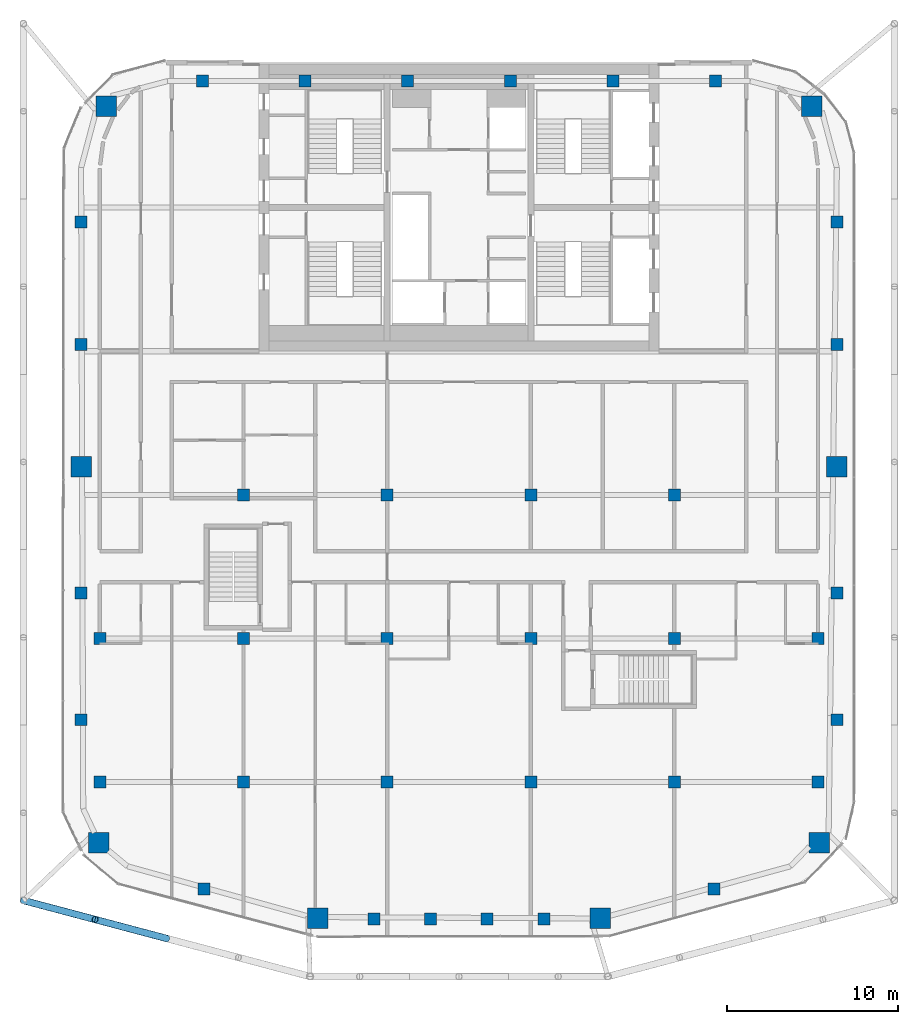
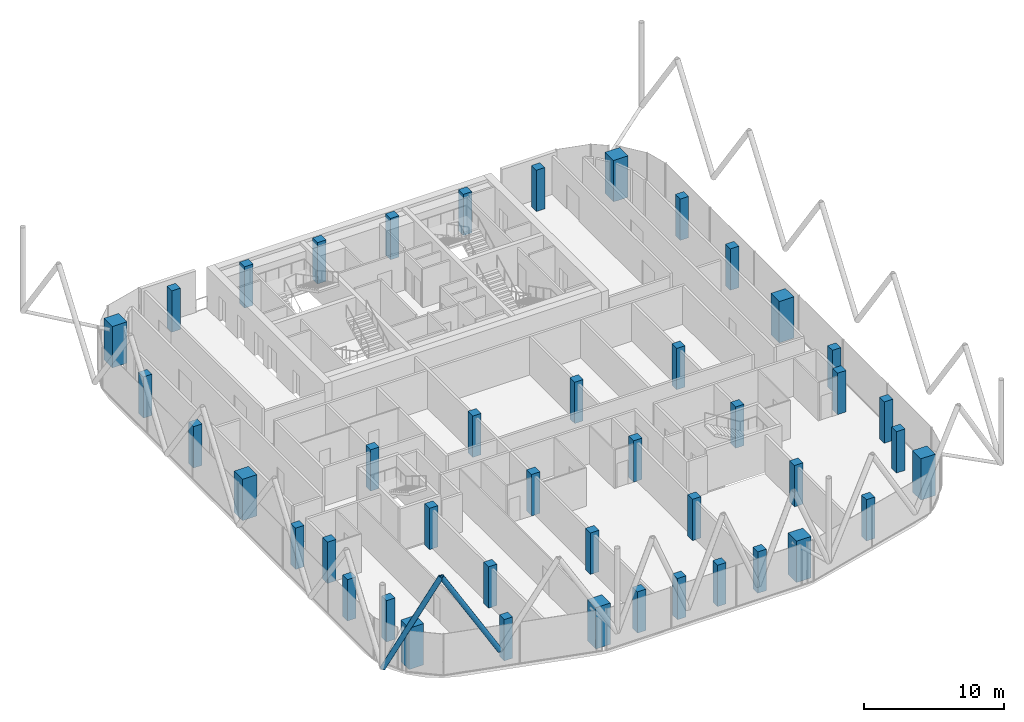
# One storey, part 1 of 27: 44 columns, 2 members.
"""IFC4 building model written with IfcOpenShell, lengths in metres."""

from ifc_helpers import new_model, si_unit, direction, frame, origin, origin_2d, place, context, subcontext, project, spatial, rectangle, hollow_circle, extrude, material, material_profile, profile_set, type_object, element, save


model = new_model("IFC4")

# Units and contexts
model_context = context("Model", 3, precision=1e-05, world=origin(), true_north=direction((0.0, 1.0)))
body_context = subcontext(model_context, "Body", "Model", "MODEL_VIEW")
ifc_project = project(units=[si_unit("LENGTHUNIT", "METRE"), si_unit("AREAUNIT", "SQUARE_METRE"), si_unit("VOLUMEUNIT", "CUBIC_METRE"), si_unit("PLANEANGLEUNIT", "RADIAN"), si_unit("MASSUNIT", "GRAM", prefix="KILO")], contexts=[model_context])

# Site, building, storey
site_placement = place(None, origin())
site = spatial("IfcSite", under=ifc_project, at=site_placement, CompositionType="ELEMENT")
building_placement = place(site_placement, origin())
building = spatial("IfcBuilding", under=site, at=building_placement, Name="Marenta Gate Hotel Tower", CompositionType="ELEMENT")
storey_placement = place(building_placement, frame((0.0, 0.0, 270.5)))
storey = spatial("IfcBuildingStorey", under=building, at=storey_placement, Name="L62", CompositionType="ELEMENT", Elevation=270.5)

# Columns
ifc_material_1 = material(Name="Concrete C50", Category="concrete")
ifc_material_profile_1 = material_profile(ifc_material_1, rectangle(XDim=0.699951171875, YDim=0.699951171875, at=origin_2d()), Name="700 x 700")
ifc_profile_set_1 = profile_set([ifc_material_profile_1], Name="Concrete C50")
column_type_1 = type_object("IfcColumnType", Name="Edge column 700 x 700 C50", PredefinedType="COLUMN", material=ifc_profile_set_1)
for number, where, z_axis, x_axis, name in (
    (1, (-22.10009765625, -21.552001953125, 0.0), (0.0, 0.0, 1.0), (1.0, 0.0, 0.0), "L62-EC-SW-W-1"),
    (2, (-22.10009765625, -14.15087890625, 0.0), (0.0, 0.0, 1.0), (1.0, 0.0, 0.0), "L62-EC-SW-W-2"),
    (3, (-22.10009765625, 0.4033203125, 0.0), (0.0, 0.0, 1.0), (1.0, 0.0, 0.0), "L62-EC-W-NW-1"),
    (4, (-22.10009765625, 7.556396484375, 0.0), (0.0, 0.0, 1.0), (1.0, 0.0, 0.0), "L62-EC-W-NW-2"),
    (5, (-15.0068359375, 15.800048828125, 0.0), (0.0, 0.0, 1.0), (1.0, 0.0, 0.0), "L62-EC-NW-NE-1"),
    (6, (-9.004150390625, 15.800048828125, 0.0), (0.0, 0.0, 1.0), (1.0, 0.0, 0.0), "L62-EC-NW-NE-2"),
    (7, (-3.00146484375, 15.800048828125, 0.0), (0.0, 0.0, 1.0), (1.0, 0.0, 0.0), "L62-EC-NW-NE-3"),
    (8, (3.00146484375, 15.800048828125, 0.0), (0.0, 0.0, 1.0), (1.0, 0.0, 0.0), "L62-EC-NW-NE-4"),
    (9, (9.004150390625, 15.800048828125, 0.0), (0.0, 0.0, 1.0), (1.0, 0.0, 0.0), "L62-EC-NW-NE-5"),
    (10, (15.0068359375, 15.800048828125, 0.0), (0.0, 0.0, 1.0), (1.0, 0.0, 0.0), "L62-EC-NW-NE-6"),
    (11, (22.10009765625, 7.556396484375, 0.0), (0.0, 0.0, 1.0), (1.0, 0.0, 0.0), "L62-EC-NE-E-1"),
    (12, (22.10009765625, 0.4033203125, 0.0), (0.0, 0.0, 1.0), (1.0, 0.0, 0.0), "L62-EC-NE-E-2"),
    (13, (22.10009765625, -14.15087890625, 0.0), (0.0, 0.0, 1.0), (1.0, 0.0, 0.0), "L62-EC-E-SE-1"),
    (14, (22.10009765625, -21.552001953125, 0.0), (0.0, 0.0, 1.0), (1.0, 0.0, 0.0), "L62-EC-E-SE-2"),
    (15, (14.90673828125, -31.439208984375, 0.0), (0.0, 0.0, 1.0), (1.0, 0.0, 0.0), "L62-EC-SE-SKE-1"),
    (16, (4.960205078125, -33.199951171875, 0.0), (0.0, 0.0, 1.0), (1.0, 0.0, 0.0), "L62-EC-SKE-SKW-1"),
    (17, (1.6533203125, -33.199951171875, 0.0), (0.0, 0.0, 1.0), (1.0, 0.0, 0.0), "L62-EC-SKE-SKW-2"),
    (18, (-1.6533203125, -33.199951171875, 0.0), (0.0, 0.0, 1.0), (1.0, 0.0, 0.0), "L62-EC-SKE-SKW-3"),
    (19, (-4.960205078125, -33.199951171875, 0.0), (0.0, 0.0, 1.0), (1.0, 0.0, 0.0), "L62-EC-SKE-SKW-4"),
    (20, (-14.90673828125, -31.439208984375, 0.0), (0.0, 0.0, 1.0), (1.0, 0.0, 0.0), "L62-EC-SKW-SW-1"),
):
    element("IfcColumn", number, at=place(storey_placement, frame(where, z_axis=z_axis, x_axis=x_axis)), inside=storey, type_object=column_type_1, Name=name, PredefinedType="COLUMN", context=body_context, shape_type="SweptSolid", body=[
        extrude(rectangle(XDim=0.699951171875, YDim=0.699951171875, at=origin_2d()), origin(), (0.0, 0.0, 1.0), 3.60009765625),
    ])
ifc_material_2 = material(Name="Concrete C50", Category="concrete")
ifc_material_profile_2 = material_profile(ifc_material_2, rectangle(XDim=0.699951171875, YDim=0.699951171875, at=origin_2d()), Name="700 x 700")
ifc_profile_set_2 = profile_set([ifc_material_profile_2], Name="Concrete C50")
column_type_2 = type_object("IfcColumnType", Name="Interior column 700 x 700 C50", PredefinedType="COLUMN", material=ifc_profile_set_2)
for number, where, z_axis, x_axis, name in (
    (21, (-21.0, -25.199951171875, 0.0), (0.0, 0.0, 1.0), (1.0, 0.0, 0.0), "L62-IC-4C"),
    (22, (-21.0, -16.800048828125, 0.0), (0.0, 0.0, 1.0), (1.0, 0.0, 0.0), "L62-IC-4D"),
    (23, (-12.60009765625, -25.199951171875, 0.0), (0.0, 0.0, 1.0), (1.0, 0.0, 0.0), "L62-IC-5C"),
    (24, (-12.60009765625, -16.800048828125, 0.0), (0.0, 0.0, 1.0), (1.0, 0.0, 0.0), "L62-IC-5D"),
    (25, (-12.60009765625, -8.39990234375, 0.0), (0.0, 0.0, 1.0), (1.0, 0.0, 0.0), "L62-IC-5E"),
    (26, (-4.199951171875, -25.199951171875, 0.0), (0.0, 0.0, 1.0), (1.0, 0.0, 0.0), "L62-IC-6C"),
    (27, (-4.199951171875, -16.800048828125, 0.0), (0.0, 0.0, 1.0), (1.0, 0.0, 0.0), "L62-IC-6D"),
    (28, (-4.199951171875, -8.39990234375, 0.0), (0.0, 0.0, 1.0), (1.0, 0.0, 0.0), "L62-IC-6E"),
    (29, (4.199951171875, -25.199951171875, 0.0), (0.0, 0.0, 1.0), (1.0, 0.0, 0.0), "L62-IC-7C"),
    (30, (4.199951171875, -16.800048828125, 0.0), (0.0, 0.0, 1.0), (1.0, 0.0, 0.0), "L62-IC-7D"),
    (31, (4.199951171875, -8.39990234375, 0.0), (0.0, 0.0, 1.0), (1.0, 0.0, 0.0), "L62-IC-7E"),
    (32, (12.60009765625, -25.199951171875, 0.0), (0.0, 0.0, 1.0), (1.0, 0.0, 0.0), "L62-IC-8C"),
    (33, (12.60009765625, -16.800048828125, 0.0), (0.0, 0.0, 1.0), (1.0, 0.0, 0.0), "L62-IC-8D"),
    (34, (12.60009765625, -8.39990234375, 0.0), (0.0, 0.0, 1.0), (1.0, 0.0, 0.0), "L62-IC-8E"),
    (35, (21.0, -25.199951171875, 0.0), (0.0, 0.0, 1.0), (1.0, 0.0, 0.0), "L62-IC-9C"),
    (36, (21.0, -16.800048828125, 0.0), (0.0, 0.0, 1.0), (1.0, 0.0, 0.0), "L62-IC-9D"),
):
    element("IfcColumn", number, at=place(storey_placement, frame(where, z_axis=z_axis, x_axis=x_axis)), inside=storey, type_object=column_type_2, Name=name, PredefinedType="COLUMN", context=body_context, shape_type="SweptSolid", body=[
        extrude(rectangle(XDim=0.699951171875, YDim=0.699951171875, at=origin_2d()), origin(), (0.0, 0.0, 1.0), 3.60009765625),
    ])
ifc_material_3 = material(Name="Concrete C50", Category="concrete")
ifc_material_profile_3 = material_profile(ifc_material_3, rectangle(XDim=1.199951171875, YDim=1.199951171875, at=origin_2d()), Name="1200 x 1200")
ifc_profile_set_3 = profile_set([ifc_material_profile_3], Name="Concrete C50")
column_type_3 = type_object("IfcColumnType", Name="Mega column 1200 x 1200 C50", PredefinedType="COLUMN", material=ifc_profile_set_3)
for number, where, z_axis, x_axis, name in (
    (37, (-21.06298828125, -28.73291015625, 0.0), (0.0, 0.0, 1.0), (1.0, 0.0, 0.0), "L62-MC-SW"),
    (38, (-8.266357421875, -33.1748046875, 0.0), (0.0, 0.0, 1.0), (1.0, 0.0, 0.0), "L62-MC-SKW"),
    (39, (8.266357421875, -33.1748046875, 0.0), (0.0, 0.0, 1.0), (1.0, 0.0, 0.0), "L62-MC-SKE"),
    (40, (21.06298828125, -28.73291015625, 0.0), (0.0, 0.0, 1.0), (1.0, 0.0, 0.0), "L62-MC-SE"),
    (41, (22.10009765625, -6.75, 0.0), (0.0, 0.0, 1.0), (1.0, 0.0, 0.0), "L62-MC-E"),
    (42, (20.635498046875, 14.33544921875, 0.0), (0.0, 0.0, 1.0), (1.0, 0.0, 0.0), "L62-MC-NE"),
    (43, (-20.635498046875, 14.33544921875, 0.0), (0.0, 0.0, 1.0), (1.0, 0.0, 0.0), "L62-MC-NW"),
    (44, (-22.10009765625, -6.75, 0.0), (0.0, 0.0, 1.0), (1.0, 0.0, 0.0), "L62-MC-W"),
):
    element("IfcColumn", number, at=place(storey_placement, frame(where, z_axis=z_axis, x_axis=x_axis)), inside=storey, type_object=column_type_3, Name=name, PredefinedType="COLUMN", context=body_context, shape_type="SweptSolid", body=[
        extrude(rectangle(XDim=1.199951171875, YDim=1.199951171875, at=origin_2d()), origin(), (0.0, 0.0, 1.0), 3.60009765625),
    ])

# Members
ifc_material_4 = material(Name="Steel S355J2W", Category="steel")
ifc_material_profile_4 = material_profile(ifc_material_4, hollow_circle(Radius=0.203125, WallThickness=0.02490234375, at=origin_2d()), Name="CHS 406.4x25")
ifc_profile_set_4 = profile_set([ifc_material_profile_4], Name="Steel S355J2W")
member_type = type_object("IfcMemberType", Name="Diagrid diagonal Z4 CHS 406.4x25", PredefinedType="BRACE", material=ifc_profile_set_4)
for number, where, z_axis, x_axis, name in (
    (45, (-17.089599609375, -34.3466796875, 3.139892578125), (-0.498561055746, 0.132287306873, 0.856701197696), (-0.256463689668, -0.966553866001, 0.0), "L62-DG-23"),
    (46, (-25.469970703125, -32.123291015625, 3.139892578125), (0.498562971397, -0.132258766461, 0.856704489451), (0.256411076507, 0.966567824751, 0.0), "L62-DG-24"),
):
    element("IfcMember", number, at=place(storey_placement, frame(where, z_axis=z_axis, x_axis=x_axis)), inside=storey, type_object=member_type, Name=name, PredefinedType="BRACE", context=body_context, shape_type="SweptSolid", body=[
        extrude(hollow_circle(Radius=0.203125, WallThickness=0.02490234375, at=origin_2d()), origin(), (0.0, 0.0, 1.0), 8.404541015625),
    ])

save(model, "model.ifc")
